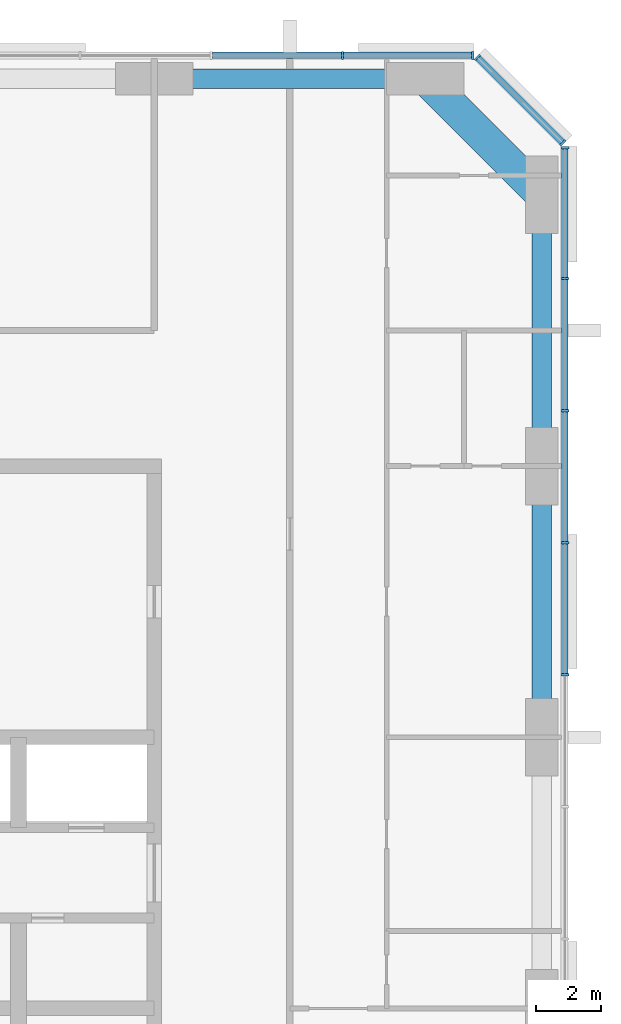
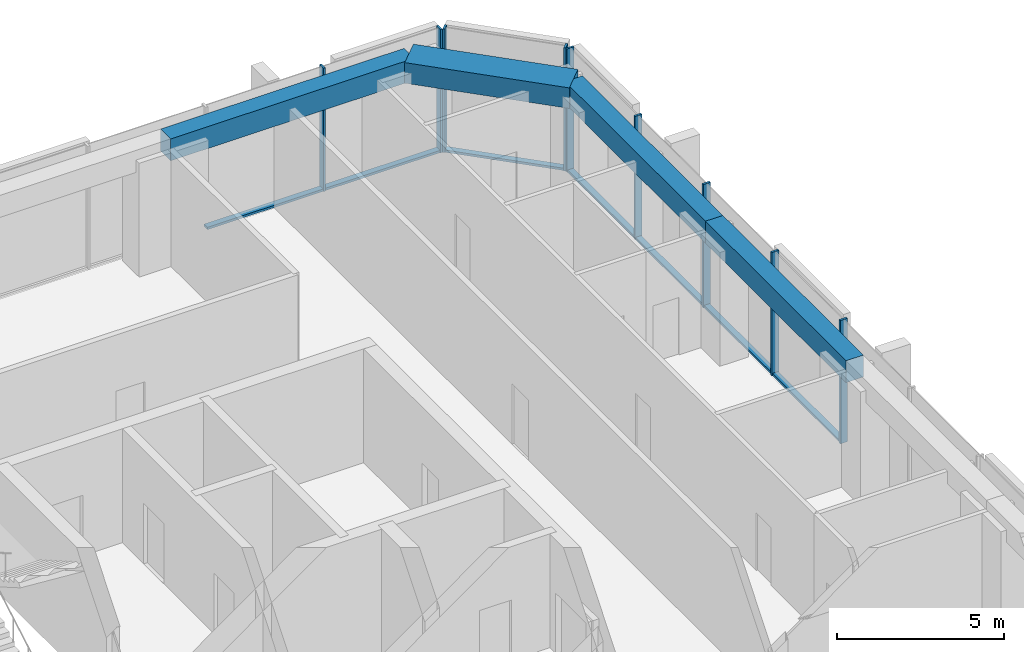
# One storey, part 5 of 10: 16 members, 4 beams, 3 elements without a shape of their own.
"""IFC4 building model written with IfcOpenShell, lengths in metres."""

from ifc_helpers import new_model, si_unit, direction, frame, origin, origin_2d, place, context, subcontext, project, spatial, rectangle, extrude, material, material_profile, profile_set, type_object, element, aggregate, save


model = new_model("IFC4")

# Units and contexts
model_context = context("Model", 3, precision=1e-05, world=origin(), true_north=direction((0.0, 1.0)))
body_context = subcontext(model_context, "Body", "Model", "MODEL_VIEW")
ifc_project = project(units=[si_unit("LENGTHUNIT", "METRE"), si_unit("AREAUNIT", "SQUARE_METRE"), si_unit("VOLUMEUNIT", "CUBIC_METRE"), si_unit("PLANEANGLEUNIT", "RADIAN"), si_unit("MASSUNIT", "GRAM", prefix="KILO")], contexts=[model_context])

# Site, building, storey
site_placement = place(None, origin())
site = spatial("IfcSite", under=ifc_project, at=site_placement, CompositionType="ELEMENT")
building_placement = place(site_placement, origin())
building = spatial("IfcBuilding", under=site, at=building_placement, Name="Dunama Terrace Hotel", CompositionType="ELEMENT")
storey_placement = place(building_placement, frame((0.0, 0.0, 289.10009765625)))
storey = spatial("IfcBuildingStorey", under=building, at=storey_placement, Name="L74", CompositionType="ELEMENT", Elevation=289.10009765625)

# Curtain wall, members
ifc_material_1 = material(Name="Aluminium curtain wall system", Category="aluminium")
curtain_wall_type = type_object("IfcCurtainWallType", Name="Unitised fritted glass wall CW-D", PredefinedType="NOTDEFINED", material=ifc_material_1)
curtain_wall_1_placement = place(storey_placement, origin())
curtain_wall_1 = element("IfcCurtainWall", 1, at=curtain_wall_1_placement, inside=storey, type_object=curtain_wall_type, Name="Unitised fritted glass wall CW-D L74", PredefinedType="NOTDEFINED")
ifc_material_2 = material(Name="Aluminium mullion", Category="aluminium")
ifc_material_profile_1 = material_profile(ifc_material_2, rectangle(XDim=0.070068359375, YDim=0.239990234375, at=origin_2d()), Name="CWD MULLION 70X240")
ifc_profile_set_1 = profile_set([ifc_material_profile_1], Name="Aluminium mullion")
member_type_1 = type_object("IfcMemberType", Name="CWD mullion 70x240", PredefinedType="MULLION", material=ifc_profile_set_1)
member_1_placement = place(storey_placement, frame((54.719970703125, 35.535888671875, 0.0), z_axis=(0.0, 0.0, 1.0), x_axis=(0.0, 1.0, 0.0)))
member_1 = element("IfcMember", 2, at=member_1_placement, type_object=member_type_1, Name="CWD mullion", PredefinedType="MULLION", context=body_context, shape_type="SweptSolid", body=[
    extrude(rectangle(XDim=0.070068359375, YDim=0.239990234375, at=origin_2d()), origin(), (0.0, 0.0, 1.0), 4.5),
])
member_2_placement = place(storey_placement, frame((54.719970703125, 39.626953125, 0.0), z_axis=(0.0, 0.0, 1.0), x_axis=(0.0, 1.0, 0.0)))
member_2 = element("IfcMember", 3, at=member_2_placement, type_object=member_type_1, Name="CWD mullion", PredefinedType="MULLION", context=body_context, shape_type="SweptSolid", body=[
    extrude(rectangle(XDim=0.070068359375, YDim=0.239990234375, at=origin_2d()), origin(), (0.0, 0.0, 1.0), 4.5),
])
member_3_placement = place(storey_placement, frame((54.719970703125, 43.718017578125, 0.0), z_axis=(0.0, 0.0, 1.0), x_axis=(0.0, 1.0, 0.0)))
member_3 = element("IfcMember", 4, at=member_3_placement, type_object=member_type_1, Name="CWD mullion", PredefinedType="MULLION", context=body_context, shape_type="SweptSolid", body=[
    extrude(rectangle(XDim=0.070068359375, YDim=0.239990234375, at=origin_2d()), origin(), (0.0, 0.0, 1.0), 4.5),
])
member_4_placement = place(storey_placement, frame((54.719970703125, 47.80908203125, 0.0), z_axis=(0.0, 0.0, 1.0), x_axis=(0.0, 1.0, 0.0)))
member_4 = element("IfcMember", 5, at=member_4_placement, type_object=member_type_1, Name="CWD mullion", PredefinedType="MULLION", context=body_context, shape_type="SweptSolid", body=[
    extrude(rectangle(XDim=0.070068359375, YDim=0.239990234375, at=origin_2d()), origin(), (0.0, 0.0, 1.0), 4.5),
])
member_5_placement = place(storey_placement, frame((54.719970703125, 51.864990234375, 0.0), z_axis=(0.0, 0.0, 1.0), x_axis=(0.0, 1.0, 0.0)))
member_5 = element("IfcMember", 6, at=member_5_placement, type_object=member_type_1, Name="CWD mullion", PredefinedType="MULLION", context=body_context, shape_type="SweptSolid", body=[
    extrude(rectangle(XDim=0.070068359375, YDim=0.239990234375, at=origin_2d()), origin(), (0.0, 0.0, 1.0), 4.5),
])

curtain_wall_2_placement = place(storey_placement, origin())
curtain_wall_2 = element("IfcCurtainWall", 7, at=curtain_wall_2_placement, inside=storey, type_object=curtain_wall_type, Name="Unitised fritted glass wall CW-D L74", PredefinedType="NOTDEFINED")
member_6_placement = place(storey_placement, frame((54.659912109375, 52.010009765625, 0.0), z_axis=(0.0, 0.0, 1.0), x_axis=(-0.707106781187, 0.707106781187, 0.0)))
member_6 = element("IfcMember", 8, at=member_6_placement, type_object=member_type_1, Name="CWD mullion", PredefinedType="MULLION", context=body_context, shape_type="SweptSolid", body=[
    extrude(rectangle(XDim=0.070068359375, YDim=0.239990234375, at=origin_2d()), origin(), (0.0, 0.0, 1.0), 4.5),
])
member_7_placement = place(storey_placement, frame((52.010009765625, 54.659912109375, 0.0), z_axis=(0.0, 0.0, 1.0), x_axis=(-0.707106781187, 0.707106781187, 0.0)))
member_7 = element("IfcMember", 9, at=member_7_placement, type_object=member_type_1, Name="CWD mullion", PredefinedType="MULLION", context=body_context, shape_type="SweptSolid", body=[
    extrude(rectangle(XDim=0.070068359375, YDim=0.239990234375, at=origin_2d()), origin(), (0.0, 0.0, 1.0), 4.5),
])

curtain_wall_3_placement = place(storey_placement, origin())
curtain_wall_3 = element("IfcCurtainWall", 10, at=curtain_wall_3_placement, inside=storey, type_object=curtain_wall_type, Name="Unitised fritted glass wall CW-D L74", PredefinedType="NOTDEFINED")
member_8_placement = place(storey_placement, frame((51.864990234375, 54.719970703125, 0.0), z_axis=(0.0, 0.0, 1.0), x_axis=(-1.0, 0.0, 0.0)))
member_8 = element("IfcMember", 11, at=member_8_placement, type_object=member_type_1, Name="CWD mullion", PredefinedType="MULLION", context=body_context, shape_type="SweptSolid", body=[
    extrude(rectangle(XDim=0.070068359375, YDim=0.239990234375, at=origin_2d()), origin(), (0.0, 0.0, 1.0), 4.5),
])
member_9_placement = place(storey_placement, frame((47.8330078125, 54.719970703125, 0.0), z_axis=(0.0, 0.0, 1.0), x_axis=(-1.0, 0.0, 0.0)))
member_9 = element("IfcMember", 12, at=member_9_placement, type_object=member_type_1, Name="CWD mullion", PredefinedType="MULLION", context=body_context, shape_type="SweptSolid", body=[
    extrude(rectangle(XDim=0.070068359375, YDim=0.239990234375, at=origin_2d()), origin(), (0.0, 0.0, 1.0), 4.5),
])

# Member
ifc_material_3 = material(Name="Aluminium transom", Category="aluminium")
ifc_material_profile_2 = material_profile(ifc_material_3, rectangle(XDim=0.199951171875, YDim=0.0849609375, at=origin_2d()), Name="CWD TRANSOM 200X85")
ifc_profile_set_2 = profile_set([ifc_material_profile_2], Name="Aluminium transom")
member_type_2 = type_object("IfcMemberType", Name="CWD transom 200x85", PredefinedType="USERDEFINED", material=ifc_profile_set_2)
member_10_placement = place(storey_placement, frame((54.719970703125, 35.571044921875, 0.04248046875), z_axis=(0.0, 1.0, 0.0), x_axis=(-1.0, 0.0, 0.0)))
member_10 = element("IfcMember", 13, at=member_10_placement, type_object=member_type_2, Name="CWD transom", ObjectType="TRANSOM", PredefinedType="USERDEFINED", context=body_context, shape_type="SweptSolid", body=[
    extrude(rectangle(XDim=0.199951171875, YDim=0.0849609375, at=origin_2d()), origin(), (0.0, 0.0, 1.0), 4.02099609375),
])

member_11_placement = place(storey_placement, frame((54.719970703125, 39.662109375, 0.04248046875), z_axis=(0.0, 1.0, 0.0), x_axis=(-1.0, 0.0, 0.0)))
member_11 = element("IfcMember", 14, at=member_11_placement, type_object=member_type_2, Name="CWD transom", ObjectType="TRANSOM", PredefinedType="USERDEFINED", context=body_context, shape_type="SweptSolid", body=[
    extrude(rectangle(XDim=0.199951171875, YDim=0.0849609375, at=origin_2d()), origin(), (0.0, 0.0, 1.0), 4.02099609375),
])

member_12_placement = place(storey_placement, frame((54.719970703125, 43.7529296875, 0.04248046875), z_axis=(0.0, 1.0, 0.0), x_axis=(-1.0, 0.0, 0.0)))
member_12 = element("IfcMember", 15, at=member_12_placement, type_object=member_type_2, Name="CWD transom", ObjectType="TRANSOM", PredefinedType="USERDEFINED", context=body_context, shape_type="SweptSolid", body=[
    extrude(rectangle(XDim=0.199951171875, YDim=0.0849609375, at=origin_2d()), origin(), (0.0, 0.0, 1.0), 4.02099609375),
])

member_13_placement = place(storey_placement, frame((54.719970703125, 47.843994140625, 0.04248046875), z_axis=(0.0, 1.0, 0.0), x_axis=(-1.0, 0.0, 0.0)))
member_13 = element("IfcMember", 16, at=member_13_placement, type_object=member_type_2, Name="CWD transom", ObjectType="TRANSOM", PredefinedType="USERDEFINED", context=body_context, shape_type="SweptSolid", body=[
    extrude(rectangle(XDim=0.199951171875, YDim=0.0849609375, at=origin_2d()), origin(), (0.0, 0.0, 1.0), 3.986083984375),
])

aggregate(curtain_wall_1, [member_1, member_2, member_3, member_4, member_5, member_10, member_11, member_12, member_13])

member_14_placement = place(storey_placement, frame((54.635009765625, 52.033935546875, 0.04248046875), z_axis=(-0.707106781187, 0.707106781187, 0.0), x_axis=(-0.707106781187, -0.707106781187, 0.0)))
member_14 = element("IfcMember", 17, at=member_14_placement, type_object=member_type_2, Name="CWD transom", ObjectType="TRANSOM", PredefinedType="USERDEFINED", context=body_context, shape_type="SweptSolid", body=[
    extrude(rectangle(XDim=0.199951171875, YDim=0.0849609375, at=origin_2d()), origin(), (0.0, 0.0, 1.0), 3.678466796875),
])

aggregate(curtain_wall_2, [member_6, member_7, member_14])

member_15_placement = place(storey_placement, frame((51.830078125, 54.719970703125, 0.04248046875), z_axis=(-1.0, 0.0, 0.0), x_axis=(0.0, -1.0, 0.0)))
member_15 = element("IfcMember", 18, at=member_15_placement, type_object=member_type_2, Name="CWD transom", ObjectType="TRANSOM", PredefinedType="USERDEFINED", context=body_context, shape_type="SweptSolid", body=[
    extrude(rectangle(XDim=0.199951171875, YDim=0.0849609375, at=origin_2d()), origin(), (0.0, 0.0, 1.0), 3.962158203125),
])

member_16_placement = place(storey_placement, frame((47.798095703125, 54.719970703125, 0.04248046875), z_axis=(-1.0, 0.0, 0.0), x_axis=(0.0, -1.0, 0.0)))
member_16 = element("IfcMember", 19, at=member_16_placement, type_object=member_type_2, Name="CWD transom", ObjectType="TRANSOM", PredefinedType="USERDEFINED", context=body_context, shape_type="SweptSolid", body=[
    extrude(rectangle(XDim=0.199951171875, YDim=0.0849609375, at=origin_2d()), origin(), (0.0, 0.0, 1.0), 3.99609375),
])

aggregate(curtain_wall_3, [member_8, member_9, member_15, member_16])

# Beams
ifc_material_4 = material(Name="Concrete C50/60", Category="concrete")
ifc_material_profile_3 = material_profile(ifc_material_4, rectangle(XDim=1.0, YDim=0.75, at=origin_2d()), Name="RC 1000x750")
ifc_profile_set_3 = profile_set([ifc_material_profile_3], Name="Concrete C50/60")
beam_type_1 = type_object("IfcBeamType", Name="Edge beam RC 1000x750", PredefinedType="SPANDREL", material=ifc_profile_set_3)
beam_placement = place(storey_placement, frame((50.39990234375, 54.0, 4.125), z_axis=(0.707106781187, -0.707106781187, 0.0), x_axis=(0.707106781187, 0.707106781187, 0.0)))
element("IfcBeam", 20, at=beam_placement, inside=storey, type_object=beam_type_1, Name="Corner edge beam under L75", PredefinedType="SPANDREL", context=body_context, shape_type="SweptSolid", body=[
    extrude(rectangle(XDim=1.0, YDim=0.75, at=origin_2d()), origin(), (0.0, 0.0, 1.0), 5.09130859375),
])
ifc_material_5 = material(Name="Concrete C40/50", Category="concrete")
ifc_material_profile_4 = material_profile(ifc_material_5, rectangle(XDim=0.60009765625, YDim=0.800048828125, at=origin_2d()), Name="RC 600x800")
ifc_profile_set_4 = profile_set([ifc_material_profile_4], Name="Concrete C40/50")
beam_type_2 = type_object("IfcBeamType", Name="Edge beam RC 600x800", PredefinedType="SPANDREL", material=ifc_profile_set_4)
for number, where, z_axis, x_axis, name in (
    (21, (54.0, 33.60009765625, 4.099853515625), (0.0, 1.0, 0.0), (-1.0, 0.0, 0.0), "Edge beam under L75"),
    (22, (54.0, 42.0, 4.099853515625), (0.0, 1.0, 0.0), (-1.0, 0.0, 0.0), "Edge beam under L75"),
    (23, (42.0, 54.0, 4.099853515625), (1.0, 0.0, 0.0), (0.0, 1.0, 0.0), "Edge beam under L75"),
):
    element("IfcBeam", number, at=place(storey_placement, frame(where, z_axis=z_axis, x_axis=x_axis)), inside=storey, type_object=beam_type_2, Name=name, PredefinedType="SPANDREL", context=body_context, shape_type="SweptSolid", body=[
        extrude(rectangle(XDim=0.60009765625, YDim=0.800048828125, at=origin_2d()), origin(), (0.0, 0.0, 1.0), 8.39990234375),
    ])

save(model, "model.ifc")
